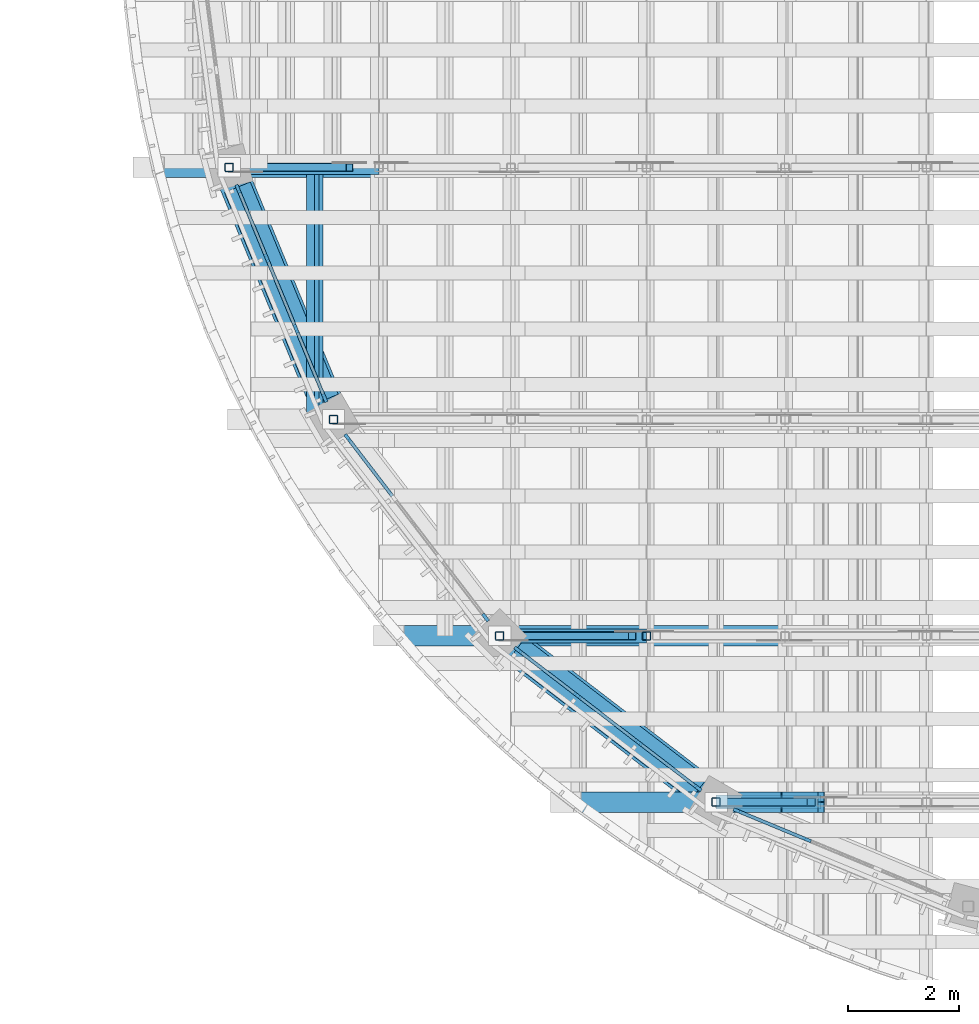
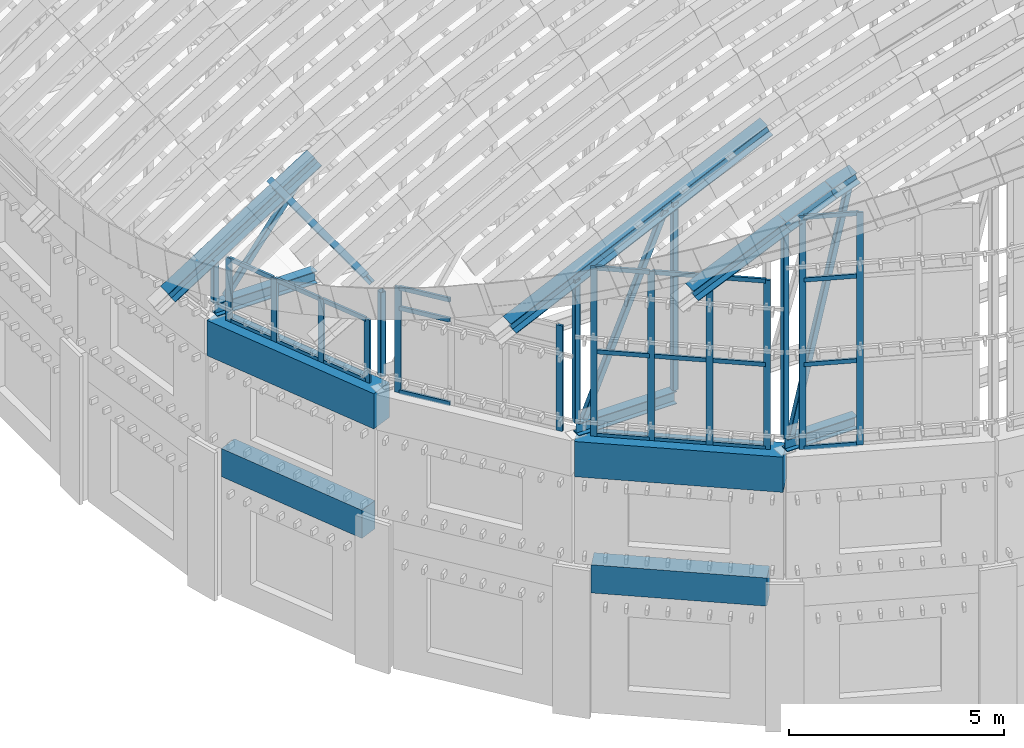
# One storey, part 3 of 105: 51 members, 4 beams, 4 elements without a shape of their own.
"""IFC4 building model written with IfcOpenShell, lengths in metres."""

from ifc_helpers import new_model, si_unit, direction, frame, origin, origin_2d, place, context, subcontext, project, spatial, rectangle, hollow_rectangle, i_section, extrude, material, layer, layer_set, material_profile, profile_set, type_object, element, aggregate, save


model = new_model("IFC4")

# Units and contexts
model_context = context("Model", 3, precision=1e-05, world=origin(), true_north=direction((0.0, 1.0)))
body_context = subcontext(model_context, "Body", "Model", "MODEL_VIEW")
ifc_project = project(units=[si_unit("LENGTHUNIT", "METRE"), si_unit("AREAUNIT", "SQUARE_METRE"), si_unit("VOLUMEUNIT", "CUBIC_METRE"), si_unit("PLANEANGLEUNIT", "RADIAN"), si_unit("MASSUNIT", "GRAM", prefix="KILO")], contexts=[model_context])

# Site, building, storey
site_placement = place(None, origin())
site = spatial("IfcSite", under=ifc_project, at=site_placement, CompositionType="ELEMENT")
building_placement = place(site_placement, origin())
building = spatial("IfcBuilding", under=site, at=building_placement, Name="Wasatch Bagh Community Centre", CompositionType="ELEMENT")
storey_placement = place(building_placement, frame((0.0, 0.0, 16.800048828125)))
storey = spatial("IfcBuildingStorey", under=building, at=storey_placement, Name="L04", CompositionType="ELEMENT", Elevation=16.800048828125)

# Members
ifc_material_1 = material(Name="ASTM A500 Grade C steel", Category="steel")
ifc_material_profile_1 = material_profile(ifc_material_1, hollow_rectangle(XDim=0.15234375, YDim=0.15234375, WallThickness=0.0087890625, InnerFilletRadius=0.0087890625, OuterFilletRadius=0.017822265625, at=origin_2d()), Name="HSS6x6x3/8")
ifc_profile_set_1 = profile_set([ifc_material_profile_1], Name="ASTM A500 Grade C steel")
member_type_1 = type_object("IfcMemberType", Name="HSS6x6x3/8 brace", PredefinedType="BRACE", material=ifc_profile_set_1)
member_1_placement = place(storey_placement, frame((18.182373046875, 30.147216796875, 8.11669921875), z_axis=(0.600100417359, 0.0, 0.799924677133), x_axis=(0.0, 1.0, 0.0)))
element("IfcMember", 1, at=member_1_placement, inside=storey, type_object=member_type_1, Name="MH.TS1.WB01", PredefinedType="BRACE", context=body_context, shape_type="SweptSolid", body=[
    extrude(hollow_rectangle(XDim=0.15234375, YDim=0.15234375, WallThickness=0.0087890625, InnerFilletRadius=0.0087890625, OuterFilletRadius=0.017822265625, at=origin_2d()), origin(), (0.0, 0.0, 1.0), 3.11181640625),
])
member_2_placement = place(storey_placement, frame((22.947998046875, 21.74169921875, 8.1005859375), z_axis=(0.388355748459, 0.0, 0.921509529326), x_axis=(0.0, 1.0, 0.0)))
element("IfcMember", 2, at=member_2_placement, inside=storey, type_object=member_type_1, Name="MH.TS3.WB01", PredefinedType="BRACE", context=body_context, shape_type="SweptSolid", body=[
    extrude(hollow_rectangle(XDim=0.15234375, YDim=0.15234375, WallThickness=0.0087890625, InnerFilletRadius=0.0087890625, OuterFilletRadius=0.017822265625, at=origin_2d()), origin(), (0.0, 0.0, 1.0), 5.58935546875),
])
member_3_placement = place(storey_placement, frame((26.787841796875, 18.761962890625, 8.088623046875), z_axis=(0.231523294474, 0.0, 0.972829360225), x_axis=(0.0, 1.0, 0.0)))
element("IfcMember", 3, at=member_3_placement, inside=storey, type_object=member_type_1, Name="MH.TS4.WB01", PredefinedType="BRACE", context=body_context, shape_type="SweptSolid", body=[
    extrude(hollow_rectangle(XDim=0.15234375, YDim=0.15234375, WallThickness=0.0087890625, InnerFilletRadius=0.0087890625, OuterFilletRadius=0.017822265625, at=origin_2d()), origin(), (0.0, 0.0, 1.0), 6.676025390625),
])
ifc_material_profile_2 = material_profile(ifc_material_1, hollow_rectangle(XDim=0.15234375, YDim=0.15234375, WallThickness=0.0087890625, InnerFilletRadius=0.0087890625, OuterFilletRadius=0.017822265625, at=origin_2d()), Name="HSS6x6x3/8")
ifc_profile_set_2 = profile_set([ifc_material_profile_2], Name="ASTM A500 Grade C steel")
member_type_2 = type_object("IfcMemberType", Name="HSS6x6x3/8 post", PredefinedType="POST", material=ifc_profile_set_2)
member_4_placement = place(storey_placement, frame((17.888916015625, 30.147216796875, 8.070556640625), z_axis=(0.0, 0.0, 1.0), x_axis=(1.0, 0.0, 0.0)))
element("IfcMember", 4, at=member_4_placement, inside=storey, type_object=member_type_2, Name="MH.TS1.PS01", PredefinedType="POST", context=body_context, shape_type="SweptSolid", body=[
    extrude(hollow_rectangle(XDim=0.15234375, YDim=0.15234375, WallThickness=0.0087890625, InnerFilletRadius=0.0087890625, OuterFilletRadius=0.017822265625, at=origin_2d()), origin(), (0.0, 0.0, 1.0), 1.2197265625),
])
member_5_placement = place(storey_placement, frame((19.761962890625, 25.625, 8.070556640625), z_axis=(0.0, 0.0, 1.0), x_axis=(1.0, 0.0, 0.0)))
element("IfcMember", 5, at=member_5_placement, inside=storey, type_object=member_type_2, Name="MH.TS2.PS01", PredefinedType="POST", context=body_context, shape_type="SweptSolid", body=[
    extrude(hollow_rectangle(XDim=0.15234375, YDim=0.15234375, WallThickness=0.0087890625, InnerFilletRadius=0.0087890625, OuterFilletRadius=0.017822265625, at=origin_2d()), origin(), (0.0, 0.0, 1.0), 2.396728515625),
])
member_6_placement = place(storey_placement, frame((22.74169921875, 21.74169921875, 8.070556640625), z_axis=(0.0, 0.0, 1.0), x_axis=(1.0, 0.0, 0.0)))
element("IfcMember", 6, at=member_6_placement, inside=storey, type_object=member_type_2, Name="MH.TS3.PS01", PredefinedType="POST", context=body_context, shape_type="SweptSolid", body=[
    extrude(hollow_rectangle(XDim=0.15234375, YDim=0.15234375, WallThickness=0.0087890625, InnerFilletRadius=0.0087890625, OuterFilletRadius=0.017822265625, at=origin_2d()), origin(), (0.0, 0.0, 1.0), 4.0595703125),
])
member_7_placement = place(storey_placement, frame((25.373779296875, 21.74169921875, 8.070556640625), z_axis=(0.0, 0.0, 1.0), x_axis=(1.0, 0.0, 0.0)))
element("IfcMember", 7, at=member_7_placement, inside=storey, type_object=member_type_2, Name="MH.TS3.PS02", PredefinedType="POST", context=body_context, shape_type="SweptSolid", body=[
    extrude(hollow_rectangle(XDim=0.15234375, YDim=0.15234375, WallThickness=0.0087890625, InnerFilletRadius=0.0087890625, OuterFilletRadius=0.017822265625, at=origin_2d()), origin(), (0.0, 0.0, 1.0), 5.32763671875),
])
member_8_placement = place(storey_placement, frame((26.625, 18.761962890625, 8.070556640625), z_axis=(0.0, 0.0, 1.0), x_axis=(1.0, 0.0, 0.0)))
element("IfcMember", 8, at=member_8_placement, inside=storey, type_object=member_type_2, Name="MH.TS4.PS01", PredefinedType="POST", context=body_context, shape_type="SweptSolid", body=[
    extrude(hollow_rectangle(XDim=0.15234375, YDim=0.15234375, WallThickness=0.0087890625, InnerFilletRadius=0.0087890625, OuterFilletRadius=0.017822265625, at=origin_2d()), origin(), (0.0, 0.0, 1.0), 5.843994140625),
])

# Curtain wall, members
ifc_material_2 = material(Name="Aluminium curtain wall frame with low-iron glass", Category="aluminium")
ifc_layer_1 = layer(ifc_material_2, 0.10009765625)
ifc_layer_set_1 = layer_set([ifc_layer_1], Name="Aluminium curtain wall frame with low-iron glass")
curtain_wall_type_1 = type_object("IfcCurtainWallType", Name="MH end screen curtain wall 2", PredefinedType="NOTDEFINED", material=ifc_layer_set_1)
curtain_wall_1_placement = place(storey_placement, origin())
curtain_wall_1 = element("IfcCurtainWall", 9, at=curtain_wall_1_placement, inside=storey, type_object=curtain_wall_type_1, Name="End screen 2", PredefinedType="NOTDEFINED")
ifc_material_3 = material(Name="Aluminium extrusion", Category="aluminium")
ifc_material_profile_3 = material_profile(ifc_material_3, rectangle(XDim=0.06005859375, YDim=0.159912109375, at=origin_2d()), Name="AL 60x160")
ifc_profile_set_3 = profile_set([ifc_material_profile_3], Name="Aluminium extrusion")
member_type_3 = type_object("IfcMemberType", Name="MH end screen mullion 60x160", PredefinedType="MULLION", material=ifc_profile_set_3)
member_9_placement = place(storey_placement, frame((18.04833984375, 29.762451171875, 7.699951171875), z_axis=(0.0, 0.0, 1.0), x_axis=(0.923879532585, 0.382683432188, 0.0)))
member_9 = element("IfcMember", 10, at=member_9_placement, type_object=member_type_3, Name="MH-CW2 mullion 1", PredefinedType="MULLION", context=body_context, shape_type="SweptSolid", body=[
    extrude(rectangle(XDim=0.06005859375, YDim=0.159912109375, at=origin_2d()), origin(), (0.0, 0.0, 1.0), 1.800048828125),
])
member_10_placement = place(storey_placement, frame((18.5625, 28.520751953125, 7.699951171875), z_axis=(0.0, 0.0, 1.0), x_axis=(0.923879532585, 0.382683432188, 0.0)))
member_10 = element("IfcMember", 11, at=member_10_placement, type_object=member_type_3, Name="MH-CW2 mullion 2", PredefinedType="MULLION", context=body_context, shape_type="SweptSolid", body=[
    extrude(rectangle(XDim=0.06005859375, YDim=0.159912109375, at=origin_2d()), origin(), (0.0, 0.0, 1.0), 1.800048828125),
])
member_11_placement = place(storey_placement, frame((19.08837890625, 27.25146484375, 7.699951171875), z_axis=(0.0, 0.0, 1.0), x_axis=(0.923879532585, 0.382683432188, 0.0)))
member_11 = element("IfcMember", 12, at=member_11_placement, type_object=member_type_3, Name="MH-CW2 mullion 3", PredefinedType="MULLION", context=body_context, shape_type="SweptSolid", body=[
    extrude(rectangle(XDim=0.06005859375, YDim=0.159912109375, at=origin_2d()), origin(), (0.0, 0.0, 1.0), 1.800048828125),
])
member_12_placement = place(storey_placement, frame((19.602783203125, 26.009765625, 7.699951171875), z_axis=(0.0, 0.0, 1.0), x_axis=(0.923879532585, 0.382683432188, 0.0)))
member_12 = element("IfcMember", 13, at=member_12_placement, type_object=member_type_3, Name="MH-CW2 mullion 4", PredefinedType="MULLION", context=body_context, shape_type="SweptSolid", body=[
    extrude(rectangle(XDim=0.06005859375, YDim=0.159912109375, at=origin_2d()), origin(), (0.0, 0.0, 1.0), 1.800048828125),
])

ifc_layer_2 = layer(ifc_material_2, 0.10009765625)
ifc_layer_set_2 = layer_set([ifc_layer_2], Name="Aluminium curtain wall frame with low-iron glass")
curtain_wall_type_2 = type_object("IfcCurtainWallType", Name="MH end screen curtain wall 3", PredefinedType="NOTDEFINED", material=ifc_layer_set_2)
curtain_wall_2_placement = place(storey_placement, origin())
curtain_wall_2 = element("IfcCurtainWall", 14, at=curtain_wall_2_placement, inside=storey, type_object=curtain_wall_type_2, Name="End screen 3", PredefinedType="NOTDEFINED")
member_13_placement = place(storey_placement, frame((20.015625, 25.294677734375, 7.699951171875), z_axis=(0.0, 0.0, 1.0), x_axis=(0.79335334027, 0.608761429036, 0.0)))
member_13 = element("IfcMember", 15, at=member_13_placement, type_object=member_type_3, Name="MH-CW3 mullion 1", PredefinedType="MULLION", context=body_context, shape_type="SweptSolid", body=[
    extrude(rectangle(XDim=0.06005859375, YDim=0.159912109375, at=origin_2d()), origin(), (0.0, 0.0, 1.0), 3.0),
])
member_14_placement = place(storey_placement, frame((22.48828125, 22.072021484375, 7.699951171875), z_axis=(0.0, 0.0, 1.0), x_axis=(0.79335334027, 0.608761429036, 0.0)))
member_14 = element("IfcMember", 16, at=member_14_placement, type_object=member_type_3, Name="MH-CW3 mullion 4", PredefinedType="MULLION", context=body_context, shape_type="SweptSolid", body=[
    extrude(rectangle(XDim=0.06005859375, YDim=0.159912109375, at=origin_2d()), origin(), (0.0, 0.0, 1.0), 3.0),
])

ifc_layer_3 = layer(ifc_material_2, 0.10009765625)
ifc_layer_set_3 = layer_set([ifc_layer_3], Name="Aluminium curtain wall frame with low-iron glass")
curtain_wall_type_3 = type_object("IfcCurtainWallType", Name="MH end screen curtain wall 4", PredefinedType="NOTDEFINED", material=ifc_layer_set_3)
curtain_wall_3_placement = place(storey_placement, origin())
curtain_wall_3 = element("IfcCurtainWall", 17, at=curtain_wall_3_placement, inside=storey, type_object=curtain_wall_type_3, Name="End screen 4", PredefinedType="NOTDEFINED")
member_15_placement = place(storey_placement, frame((23.072021484375, 21.48828125, 7.699951171875), z_axis=(0.0, 0.0, 1.0), x_axis=(0.608761429036, 0.79335334027, 0.0)))
member_15 = element("IfcMember", 18, at=member_15_placement, type_object=member_type_3, Name="MH-CW4 mullion 1", PredefinedType="MULLION", context=body_context, shape_type="SweptSolid", body=[
    extrude(rectangle(XDim=0.06005859375, YDim=0.159912109375, at=origin_2d()), origin(), (0.0, 0.0, 1.0), 4.800048828125),
])
member_16_placement = place(storey_placement, frame((24.138427734375, 20.670166015625, 7.699951171875), z_axis=(0.0, 0.0, 1.0), x_axis=(0.608761429036, 0.79335334027, 0.0)))
member_16 = element("IfcMember", 19, at=member_16_placement, type_object=member_type_3, Name="MH-CW4 mullion 2", PredefinedType="MULLION", context=body_context, shape_type="SweptSolid", body=[
    extrude(rectangle(XDim=0.06005859375, YDim=0.159912109375, at=origin_2d()), origin(), (0.0, 0.0, 1.0), 4.800048828125),
])
member_17_placement = place(storey_placement, frame((25.228271484375, 19.833740234375, 7.699951171875), z_axis=(0.0, 0.0, 1.0), x_axis=(0.608761429036, 0.79335334027, 0.0)))
member_17 = element("IfcMember", 20, at=member_17_placement, type_object=member_type_3, Name="MH-CW4 mullion 3", PredefinedType="MULLION", context=body_context, shape_type="SweptSolid", body=[
    extrude(rectangle(XDim=0.06005859375, YDim=0.159912109375, at=origin_2d()), origin(), (0.0, 0.0, 1.0), 4.800048828125),
])
member_18_placement = place(storey_placement, frame((26.294677734375, 19.015625, 7.699951171875), z_axis=(0.0, 0.0, 1.0), x_axis=(0.608761429036, 0.79335334027, 0.0)))
member_18 = element("IfcMember", 21, at=member_18_placement, type_object=member_type_3, Name="MH-CW4 mullion 4", PredefinedType="MULLION", context=body_context, shape_type="SweptSolid", body=[
    extrude(rectangle(XDim=0.06005859375, YDim=0.159912109375, at=origin_2d()), origin(), (0.0, 0.0, 1.0), 4.800048828125),
])

ifc_layer_4 = layer(ifc_material_2, 0.10009765625)
ifc_layer_set_4 = layer_set([ifc_layer_4], Name="Aluminium curtain wall frame with low-iron glass")
curtain_wall_type_4 = type_object("IfcCurtainWallType", Name="MH end screen curtain wall 5", PredefinedType="NOTDEFINED", material=ifc_layer_set_4)
curtain_wall_4_placement = place(storey_placement, origin())
curtain_wall_4 = element("IfcCurtainWall", 22, at=curtain_wall_4_placement, inside=storey, type_object=curtain_wall_type_4, Name="End screen 5", PredefinedType="NOTDEFINED")
member_19_placement = place(storey_placement, frame((27.009765625, 18.602783203125, 7.699951171875), z_axis=(0.0, 0.0, 1.0), x_axis=(0.382683432188, 0.923879532585, 0.0)))
member_19 = element("IfcMember", 23, at=member_19_placement, type_object=member_type_3, Name="MH-CW5 mullion 1", PredefinedType="MULLION", context=body_context, shape_type="SweptSolid", body=[
    extrude(rectangle(XDim=0.06005859375, YDim=0.159912109375, at=origin_2d()), origin(), (0.0, 0.0, 1.0), 6.60009765625),
])
member_20_placement = place(storey_placement, frame((28.25146484375, 18.08837890625, 7.699951171875), z_axis=(0.0, 0.0, 1.0), x_axis=(0.382683432188, 0.923879532585, 0.0)))
member_20 = element("IfcMember", 24, at=member_20_placement, type_object=member_type_3, Name="MH-CW5 mullion 2", PredefinedType="MULLION", context=body_context, shape_type="SweptSolid", body=[
    extrude(rectangle(XDim=0.06005859375, YDim=0.159912109375, at=origin_2d()), origin(), (0.0, 0.0, 1.0), 6.60009765625),
])

# Member
ifc_material_profile_4 = material_profile(ifc_material_3, rectangle(XDim=0.06005859375, YDim=0.1201171875, at=origin_2d()), Name="AL 60x120")
ifc_profile_set_4 = profile_set([ifc_material_profile_4], Name="Aluminium extrusion")
member_type_4 = type_object("IfcMemberType", Name="MH end screen transom 60x120", PredefinedType="USERDEFINED", material=ifc_profile_set_4)
member_21_placement = place(storey_placement, frame((18.059814453125, 29.734619140625, 7.72998046875), z_axis=(0.382642933155, -0.923896306793, 0.0), x_axis=(0.923896306793, 0.382642933155, 0.0)))
member_21 = element("IfcMember", 25, at=member_21_placement, type_object=member_type_4, Name="MH-CW2 transom 1.1", ObjectType="TRANSOM", PredefinedType="USERDEFINED", context=body_context, shape_type="SweptSolid", body=[
    extrude(rectangle(XDim=0.06005859375, YDim=0.1201171875, at=origin_2d()), origin(), (0.0, 0.0, 1.0), 1.28369140625),
])

member_22_placement = place(storey_placement, frame((18.059814453125, 29.734619140625, 9.469970703125), z_axis=(0.382642933155, -0.923896306793, 0.0), x_axis=(0.923896306793, 0.382642933155, 0.0)))
member_22 = element("IfcMember", 26, at=member_22_placement, type_object=member_type_4, Name="MH-CW2 transom 1.2", ObjectType="TRANSOM", PredefinedType="USERDEFINED", context=body_context, shape_type="SweptSolid", body=[
    extrude(rectangle(XDim=0.06005859375, YDim=0.1201171875, at=origin_2d()), origin(), (0.0, 0.0, 1.0), 1.28369140625),
])

member_23_placement = place(storey_placement, frame((18.573974609375, 28.492919921875, 7.72998046875), z_axis=(0.382767514508, -0.923844700065, 0.0), x_axis=(0.923844700065, 0.382767514508, 0.0)))
member_23 = element("IfcMember", 27, at=member_23_placement, type_object=member_type_4, Name="MH-CW2 transom 2.1", ObjectType="TRANSOM", PredefinedType="USERDEFINED", context=body_context, shape_type="SweptSolid", body=[
    extrude(rectangle(XDim=0.06005859375, YDim=0.1201171875, at=origin_2d()), origin(), (0.0, 0.0, 1.0), 1.31396484375),
])

member_24_placement = place(storey_placement, frame((18.573974609375, 28.492919921875, 9.469970703125), z_axis=(0.382767514508, -0.923844700065, 0.0), x_axis=(0.923844700065, 0.382767514508, 0.0)))
member_24 = element("IfcMember", 28, at=member_24_placement, type_object=member_type_4, Name="MH-CW2 transom 2.2", ObjectType="TRANSOM", PredefinedType="USERDEFINED", context=body_context, shape_type="SweptSolid", body=[
    extrude(rectangle(XDim=0.06005859375, YDim=0.1201171875, at=origin_2d()), origin(), (0.0, 0.0, 1.0), 1.31396484375),
])

member_25_placement = place(storey_placement, frame((19.099853515625, 27.2236328125, 7.72998046875), z_axis=(0.382575710929, -0.923924144834, 0.0), x_axis=(0.923924144834, 0.382575710929, 0.0)))
member_25 = element("IfcMember", 29, at=member_25_placement, type_object=member_type_4, Name="MH-CW2 transom 3.1", ObjectType="TRANSOM", PredefinedType="USERDEFINED", context=body_context, shape_type="SweptSolid", body=[
    extrude(rectangle(XDim=0.06005859375, YDim=0.1201171875, at=origin_2d()), origin(), (0.0, 0.0, 1.0), 1.283935546875),
])

member_26_placement = place(storey_placement, frame((19.099853515625, 27.2236328125, 9.469970703125), z_axis=(0.382575710929, -0.923924144834, 0.0), x_axis=(0.923924144834, 0.382575710929, 0.0)))
member_26 = element("IfcMember", 30, at=member_26_placement, type_object=member_type_4, Name="MH-CW2 transom 3.2", ObjectType="TRANSOM", PredefinedType="USERDEFINED", context=body_context, shape_type="SweptSolid", body=[
    extrude(rectangle(XDim=0.06005859375, YDim=0.1201171875, at=origin_2d()), origin(), (0.0, 0.0, 1.0), 1.283935546875),
])

aggregate(curtain_wall_1, [member_9, member_10, member_11, member_12, member_21, member_22, member_23, member_24, member_25, member_26])

member_27_placement = place(storey_placement, frame((20.03369140625, 25.270751953125, 7.72998046875), z_axis=(0.608846614125, -0.793287968186, 0.0), x_axis=(0.793287968186, 0.608846614125, 0.0)))
member_27 = element("IfcMember", 31, at=member_27_placement, type_object=member_type_4, Name="MH-CW3 transom 1.1", ObjectType="TRANSOM", PredefinedType="USERDEFINED", context=body_context, shape_type="SweptSolid", body=[
    extrude(rectangle(XDim=0.06005859375, YDim=0.1201171875, at=origin_2d()), origin(), (0.0, 0.0, 1.0), 1.283935546875),
])

member_28_placement = place(storey_placement, frame((20.03369140625, 25.270751953125, 10.099853515625), z_axis=(0.608846614125, -0.793287968186, 0.0), x_axis=(0.793287968186, 0.608846614125, 0.0)))
member_28 = element("IfcMember", 32, at=member_28_placement, type_object=member_type_4, Name="MH-CW3 transom 1.2", ObjectType="TRANSOM", PredefinedType="USERDEFINED", context=body_context, shape_type="SweptSolid", body=[
    extrude(rectangle(XDim=0.06005859375, YDim=0.1201171875, at=origin_2d()), origin(), (0.0, 0.0, 1.0), 1.283935546875),
])

member_29_placement = place(storey_placement, frame((20.03369140625, 25.270751953125, 10.669921875), z_axis=(0.608846614125, -0.793287968186, 0.0), x_axis=(0.793287968186, 0.608846614125, 0.0)))
member_29 = element("IfcMember", 33, at=member_29_placement, type_object=member_type_4, Name="MH-CW3 transom 1.3", ObjectType="TRANSOM", PredefinedType="USERDEFINED", context=body_context, shape_type="SweptSolid", body=[
    extrude(rectangle(XDim=0.06005859375, YDim=0.1201171875, at=origin_2d()), origin(), (0.0, 0.0, 1.0), 1.283935546875),
])

aggregate(curtain_wall_2, [member_13, member_14, member_27, member_28, member_29])

member_30_placement = place(storey_placement, frame((23.095947265625, 21.469970703125, 7.72998046875), z_axis=(0.793287968186, -0.608846614125, 0.0), x_axis=(0.608846614125, 0.793287968186, 0.0)))
member_30 = element("IfcMember", 34, at=member_30_placement, type_object=member_type_4, Name="MH-CW4 transom 1.1", ObjectType="TRANSOM", PredefinedType="USERDEFINED", context=body_context, shape_type="SweptSolid", body=[
    extrude(rectangle(XDim=0.06005859375, YDim=0.1201171875, at=origin_2d()), origin(), (0.0, 0.0, 1.0), 1.283935546875),
])

member_31_placement = place(storey_placement, frame((23.095947265625, 21.469970703125, 10.099853515625), z_axis=(0.793287968186, -0.608846614125, 0.0), x_axis=(0.608846614125, 0.793287968186, 0.0)))
member_31 = element("IfcMember", 35, at=member_31_placement, type_object=member_type_4, Name="MH-CW4 transom 1.2", ObjectType="TRANSOM", PredefinedType="USERDEFINED", context=body_context, shape_type="SweptSolid", body=[
    extrude(rectangle(XDim=0.06005859375, YDim=0.1201171875, at=origin_2d()), origin(), (0.0, 0.0, 1.0), 1.283935546875),
])

member_32_placement = place(storey_placement, frame((23.095947265625, 21.469970703125, 12.469970703125), z_axis=(0.793287968186, -0.608846614125, 0.0), x_axis=(0.608846614125, 0.793287968186, 0.0)))
member_32 = element("IfcMember", 36, at=member_32_placement, type_object=member_type_4, Name="MH-CW4 transom 1.3", ObjectType="TRANSOM", PredefinedType="USERDEFINED", context=body_context, shape_type="SweptSolid", body=[
    extrude(rectangle(XDim=0.06005859375, YDim=0.1201171875, at=origin_2d()), origin(), (0.0, 0.0, 1.0), 1.283935546875),
])

member_33_placement = place(storey_placement, frame((24.162109375, 20.65185546875, 7.72998046875), z_axis=(0.793396972345, -0.608704562389, 0.0), x_axis=(0.608704562389, 0.793396972345, 0.0)))
member_33 = element("IfcMember", 37, at=member_33_placement, type_object=member_type_4, Name="MH-CW4 transom 2.1", ObjectType="TRANSOM", PredefinedType="USERDEFINED", context=body_context, shape_type="SweptSolid", body=[
    extrude(rectangle(XDim=0.06005859375, YDim=0.1201171875, at=origin_2d()), origin(), (0.0, 0.0, 1.0), 1.31396484375),
])

member_34_placement = place(storey_placement, frame((24.162109375, 20.65185546875, 10.099853515625), z_axis=(0.793396972345, -0.608704562389, 0.0), x_axis=(0.608704562389, 0.793396972345, 0.0)))
member_34 = element("IfcMember", 38, at=member_34_placement, type_object=member_type_4, Name="MH-CW4 transom 2.2", ObjectType="TRANSOM", PredefinedType="USERDEFINED", context=body_context, shape_type="SweptSolid", body=[
    extrude(rectangle(XDim=0.06005859375, YDim=0.1201171875, at=origin_2d()), origin(), (0.0, 0.0, 1.0), 1.31396484375),
])

member_35_placement = place(storey_placement, frame((24.162109375, 20.65185546875, 12.469970703125), z_axis=(0.793396972345, -0.608704562389, 0.0), x_axis=(0.608704562389, 0.793396972345, 0.0)))
member_35 = element("IfcMember", 39, at=member_35_placement, type_object=member_type_4, Name="MH-CW4 transom 2.3", ObjectType="TRANSOM", PredefinedType="USERDEFINED", context=body_context, shape_type="SweptSolid", body=[
    extrude(rectangle(XDim=0.06005859375, YDim=0.1201171875, at=origin_2d()), origin(), (0.0, 0.0, 1.0), 1.31396484375),
])

member_36_placement = place(storey_placement, frame((25.252197265625, 19.8154296875, 7.72998046875), z_axis=(0.793287968186, -0.608846614125, 0.0), x_axis=(0.608846614125, 0.793287968186, 0.0)))
member_36 = element("IfcMember", 40, at=member_36_placement, type_object=member_type_4, Name="MH-CW4 transom 3.1", ObjectType="TRANSOM", PredefinedType="USERDEFINED", context=body_context, shape_type="SweptSolid", body=[
    extrude(rectangle(XDim=0.06005859375, YDim=0.1201171875, at=origin_2d()), origin(), (0.0, 0.0, 1.0), 1.283935546875),
])

member_37_placement = place(storey_placement, frame((25.252197265625, 19.8154296875, 10.099853515625), z_axis=(0.793287968186, -0.608846614125, 0.0), x_axis=(0.608846614125, 0.793287968186, 0.0)))
member_37 = element("IfcMember", 41, at=member_37_placement, type_object=member_type_4, Name="MH-CW4 transom 3.2", ObjectType="TRANSOM", PredefinedType="USERDEFINED", context=body_context, shape_type="SweptSolid", body=[
    extrude(rectangle(XDim=0.06005859375, YDim=0.1201171875, at=origin_2d()), origin(), (0.0, 0.0, 1.0), 1.283935546875),
])

member_38_placement = place(storey_placement, frame((25.252197265625, 19.8154296875, 12.469970703125), z_axis=(0.793287968186, -0.608846614125, 0.0), x_axis=(0.608846614125, 0.793287968186, 0.0)))
member_38 = element("IfcMember", 42, at=member_38_placement, type_object=member_type_4, Name="MH-CW4 transom 3.3", ObjectType="TRANSOM", PredefinedType="USERDEFINED", context=body_context, shape_type="SweptSolid", body=[
    extrude(rectangle(XDim=0.06005859375, YDim=0.1201171875, at=origin_2d()), origin(), (0.0, 0.0, 1.0), 1.283935546875),
])

aggregate(curtain_wall_3, [member_15, member_16, member_17, member_18, member_30, member_31, member_32, member_33, member_34, member_35, member_36, member_37, member_38])

member_39_placement = place(storey_placement, frame((27.037353515625, 18.591064453125, 7.72998046875), z_axis=(0.923924144834, -0.382575710929, 0.0), x_axis=(0.382575710929, 0.923924144834, 0.0)))
member_39 = element("IfcMember", 43, at=member_39_placement, type_object=member_type_4, Name="MH-CW5 transom 1.1", ObjectType="TRANSOM", PredefinedType="USERDEFINED", context=body_context, shape_type="SweptSolid", body=[
    extrude(rectangle(XDim=0.06005859375, YDim=0.1201171875, at=origin_2d()), origin(), (0.0, 0.0, 1.0), 1.283935546875),
])

member_40_placement = place(storey_placement, frame((27.037353515625, 18.591064453125, 10.099853515625), z_axis=(0.923924144834, -0.382575710929, 0.0), x_axis=(0.382575710929, 0.923924144834, 0.0)))
member_40 = element("IfcMember", 44, at=member_40_placement, type_object=member_type_4, Name="MH-CW5 transom 1.2", ObjectType="TRANSOM", PredefinedType="USERDEFINED", context=body_context, shape_type="SweptSolid", body=[
    extrude(rectangle(XDim=0.06005859375, YDim=0.1201171875, at=origin_2d()), origin(), (0.0, 0.0, 1.0), 1.283935546875),
])

member_41_placement = place(storey_placement, frame((27.037353515625, 18.591064453125, 12.5), z_axis=(0.923924144834, -0.382575710929, 0.0), x_axis=(0.382575710929, 0.923924144834, 0.0)))
member_41 = element("IfcMember", 45, at=member_41_placement, type_object=member_type_4, Name="MH-CW5 transom 1.3", ObjectType="TRANSOM", PredefinedType="USERDEFINED", context=body_context, shape_type="SweptSolid", body=[
    extrude(rectangle(XDim=0.06005859375, YDim=0.1201171875, at=origin_2d()), origin(), (0.0, 0.0, 1.0), 1.283935546875),
])

member_42_placement = place(storey_placement, frame((27.037353515625, 18.591064453125, 14.27001953125), z_axis=(0.923924144834, -0.382575710929, 0.0), x_axis=(0.382575710929, 0.923924144834, 0.0)))
member_42 = element("IfcMember", 46, at=member_42_placement, type_object=member_type_4, Name="MH-CW5 transom 1.4", ObjectType="TRANSOM", PredefinedType="USERDEFINED", context=body_context, shape_type="SweptSolid", body=[
    extrude(rectangle(XDim=0.06005859375, YDim=0.1201171875, at=origin_2d()), origin(), (0.0, 0.0, 1.0), 1.283935546875),
])

aggregate(curtain_wall_4, [member_19, member_20, member_39, member_40, member_41, member_42])

# Beams
ifc_material_4 = material(Name="Concrete C35", Category="concrete")
ifc_material_profile_5 = material_profile(ifc_material_4, rectangle(XDim=0.5, YDim=0.800048828125, at=origin_2d()), Name="RC 500x800")
ifc_profile_set_5 = profile_set([ifc_material_profile_5], Name="Concrete C35")
beam_type_1 = type_object("IfcBeamType", Name="MH ring beam RC 500x800", PredefinedType="BEAM", material=ifc_profile_set_5)
for number, where, z_axis, x_axis, name in (
    (47, (18.036865234375, 29.7900390625, 3.800048828125), (0.382688328955, -0.923877504262, 0.0), (0.923877504262, 0.382688328955, 0.0), "Ring beam 21.0 S1-S2"),
    (48, (23.04833984375, 21.506591796875, 3.800048828125), (0.793341258985, -0.60877717335, 0.0), (0.60877717335, 0.793341258985, 0.0), "Ring beam 21.0 S3-S4"),
):
    element("IfcBeam", number, at=place(storey_placement, frame(where, z_axis=z_axis, x_axis=x_axis)), inside=storey, type_object=beam_type_1, Name=name, PredefinedType="BEAM", context=body_context, shape_type="SweptSolid", body=[
        extrude(rectangle(XDim=0.5, YDim=0.800048828125, at=origin_2d()), origin(), (0.0, 0.0, 1.0), 4.121826171875),
    ])
ifc_material_profile_6 = material_profile(ifc_material_4, rectangle(XDim=0.60009765625, YDim=1.0, at=origin_2d()), Name="RC 600x1000")
ifc_profile_set_6 = profile_set([ifc_material_profile_6], Name="Concrete C35")
beam_type_2 = type_object("IfcBeamType", Name="MH ring beam RC 600x1000", PredefinedType="BEAM", material=ifc_profile_set_6)
for number, where, z_axis, x_axis, name in (
    (49, (17.888916015625, 30.147216796875, 7.199951171875), (0.382663090012, -0.923887958328, 0.0), (0.923887958328, 0.382663090012, 0.0), "Ring beam 24.5 S1-S2"),
    (50, (22.74169921875, 21.74169921875, 7.199951171875), (0.793355823169, -0.608758193246, 0.0), (0.608758193246, 0.793355823169, 0.0), "Ring beam 24.5 S3-S4"),
):
    element("IfcBeam", number, at=place(storey_placement, frame(where, z_axis=z_axis, x_axis=x_axis)), inside=storey, type_object=beam_type_2, Name=name, PredefinedType="BEAM", context=body_context, shape_type="SweptSolid", body=[
        extrude(rectangle(XDim=0.60009765625, YDim=1.0, at=origin_2d()), origin(), (0.0, 0.0, 1.0), 4.894775390625),
    ])

# Members
ifc_material_5 = material(Name="ASTM A992 Grade 50 steel", Category="steel")
ifc_material_profile_7 = material_profile(ifc_material_5, i_section(OverallWidth=0.164794921875, OverallDepth=0.309814453125, WebThickness=0.005859375, FlangeThickness=0.009765625, at=origin_2d()), Name="W12x26")
ifc_profile_set_7 = profile_set([ifc_material_profile_7], Name="ASTM A992 Grade 50 steel")
member_type_5 = type_object("IfcMemberType", Name="W12x26 purlin", PredefinedType="PURLIN", material=ifc_profile_set_7)
member_43_placement = place(storey_placement, frame((19.42529296875, 25.625, 10.907470703125), z_axis=(0.0, 1.0, 0.0), x_axis=(-0.856568214693, 0.0, -0.516033810499)))
element("IfcMember", 51, at=member_43_placement, inside=storey, type_object=member_type_5, Name="MH.TS2-TS1.PU01", PredefinedType="PURLIN", context=body_context, shape_type="SweptSolid", body=[
    extrude(i_section(OverallWidth=0.164794921875, OverallDepth=0.309814453125, WebThickness=0.005859375, FlangeThickness=0.009765625, at=origin_2d()), origin(), (0.0, 0.0, 1.0), 4.522216796875),
])
ifc_material_profile_8 = material_profile(ifc_material_5, i_section(OverallWidth=0.25390625, OverallDepth=0.355712890625, WebThickness=0.010498046875, FlangeThickness=0.018310546875, at=origin_2d()), Name="W14x68")
ifc_profile_set_8 = profile_set([ifc_material_profile_8], Name="ASTM A992 Grade 50 steel")
member_type_6 = type_object("IfcMemberType", Name="W14x68 chord", PredefinedType="CHORD", material=ifc_profile_set_8)
member_44_placement = place(storey_placement, frame((17.888916015625, 30.147216796875, 7.892822265625), z_axis=(1.0, 0.0, 0.0), x_axis=(0.0, 1.0, 0.0)))
element("IfcMember", 52, at=member_44_placement, inside=storey, type_object=member_type_6, Name="MH.TS1.BC01", PredefinedType="CHORD", context=body_context, shape_type="SweptSolid", body=[
    extrude(i_section(OverallWidth=0.25390625, OverallDepth=0.355712890625, WebThickness=0.010498046875, FlangeThickness=0.018310546875, at=origin_2d()), origin(), (0.0, 0.0, 1.0), 2.686279296875),
])
member_45_placement = place(storey_placement, frame((22.74169921875, 21.74169921875, 7.892822265625), z_axis=(1.0, 0.0, 0.0), x_axis=(0.0, 1.0, 0.0)))
element("IfcMember", 53, at=member_45_placement, inside=storey, type_object=member_type_6, Name="MH.TS3.BC01", PredefinedType="CHORD", context=body_context, shape_type="SweptSolid", body=[
    extrude(i_section(OverallWidth=0.25390625, OverallDepth=0.355712890625, WebThickness=0.010498046875, FlangeThickness=0.018310546875, at=origin_2d()), origin(), (0.0, 0.0, 1.0), 2.632080078125),
])
member_46_placement = place(storey_placement, frame((26.625, 18.761962890625, 7.892822265625), z_axis=(1.0, 0.0, 0.0), x_axis=(0.0, 1.0, 0.0)))
element("IfcMember", 54, at=member_46_placement, inside=storey, type_object=member_type_6, Name="MH.TS4.BC01", PredefinedType="CHORD", context=body_context, shape_type="SweptSolid", body=[
    extrude(i_section(OverallWidth=0.25390625, OverallDepth=0.355712890625, WebThickness=0.010498046875, FlangeThickness=0.018310546875, at=origin_2d()), origin(), (0.0, 0.0, 1.0), 1.885009765625),
])
ifc_material_profile_9 = material_profile(ifc_material_5, i_section(OverallWidth=0.368408203125, OverallDepth=0.355712890625, WebThickness=0.01123046875, FlangeThickness=0.01806640625, at=origin_2d()), Name="W14x90")
ifc_profile_set_9 = profile_set([ifc_material_profile_9], Name="ASTM A992 Grade 50 steel")
member_type_7 = type_object("IfcMemberType", Name="W14x90 chord", PredefinedType="CHORD", material=ifc_profile_set_9)
member_47_placement = place(storey_placement, frame((16.63720703125, 30.147216796875, 8.71337890625), z_axis=(0.844066787629, 0.0, 0.536238060959), x_axis=(0.0, 1.0, 0.0)))
element("IfcMember", 55, at=member_47_placement, inside=storey, type_object=member_type_7, Name="MH.TS1.TC01", PredefinedType="CHORD", context=body_context, shape_type="SweptSolid", body=[
    extrude(i_section(OverallWidth=0.368408203125, OverallDepth=0.355712890625, WebThickness=0.01123046875, FlangeThickness=0.01806640625, at=origin_2d()), origin(), (0.0, 0.0, 1.0), 4.660400390625),
])
member_48_placement = place(storey_placement, frame((20.961669921875, 21.74169921875, 11.42431640625), z_axis=(0.905873081078, 0.0, 0.423549242683), x_axis=(0.0, 1.0, 0.0)))
element("IfcMember", 56, at=member_48_placement, inside=storey, type_object=member_type_7, Name="MH.TS3.TC01", PredefinedType="CHORD", context=body_context, shape_type="SweptSolid", body=[
    extrude(i_section(OverallWidth=0.368408203125, OverallDepth=0.355712890625, WebThickness=0.01123046875, FlangeThickness=0.01806640625, at=origin_2d()), origin(), (0.0, 0.0, 1.0), 7.60986328125),
])
member_49_placement = place(storey_placement, frame((24.13427734375, 18.761962890625, 13.04931640625), z_axis=(0.915661773501, 0.0, 0.401949644294), x_axis=(0.0, 1.0, 0.0)))
element("IfcMember", 57, at=member_49_placement, inside=storey, type_object=member_type_7, Name="MH.TS4.TC01", PredefinedType="CHORD", context=body_context, shape_type="SweptSolid", body=[
    extrude(i_section(OverallWidth=0.368408203125, OverallDepth=0.355712890625, WebThickness=0.01123046875, FlangeThickness=0.01806640625, at=origin_2d()), origin(), (0.0, 0.0, 1.0), 2.717529296875),
])
member_50_placement = place(storey_placement, frame((26.62744140625, 18.761962890625, 14.143798828125), z_axis=(0.925180213064, 0.0, 0.379528092971), x_axis=(0.0, 1.0, 0.0)))
element("IfcMember", 58, at=member_50_placement, inside=storey, type_object=member_type_7, Name="MH.TS4.TC02", PredefinedType="CHORD", context=body_context, shape_type="SweptSolid", body=[
    extrude(i_section(OverallWidth=0.368408203125, OverallDepth=0.355712890625, WebThickness=0.01123046875, FlangeThickness=0.01806640625, at=origin_2d()), origin(), (0.0, 0.0, 1.0), 1.3271484375),
])
member_51_placement = place(storey_placement, frame((27.86474609375, 18.761962890625, 14.651123046875), z_axis=(0.943451080737, 0.0, 0.33151177695), x_axis=(0.0, 1.0, 0.0)))
element("IfcMember", 59, at=member_51_placement, inside=storey, type_object=member_type_7, Name="MH.TS4.TC03", PredefinedType="CHORD", context=body_context, shape_type="SweptSolid", body=[
    extrude(i_section(OverallWidth=0.368408203125, OverallDepth=0.355712890625, WebThickness=0.01123046875, FlangeThickness=0.01806640625, at=origin_2d()), origin(), (0.0, 0.0, 1.0), 0.683349609375),
])

save(model, "model.ifc")
